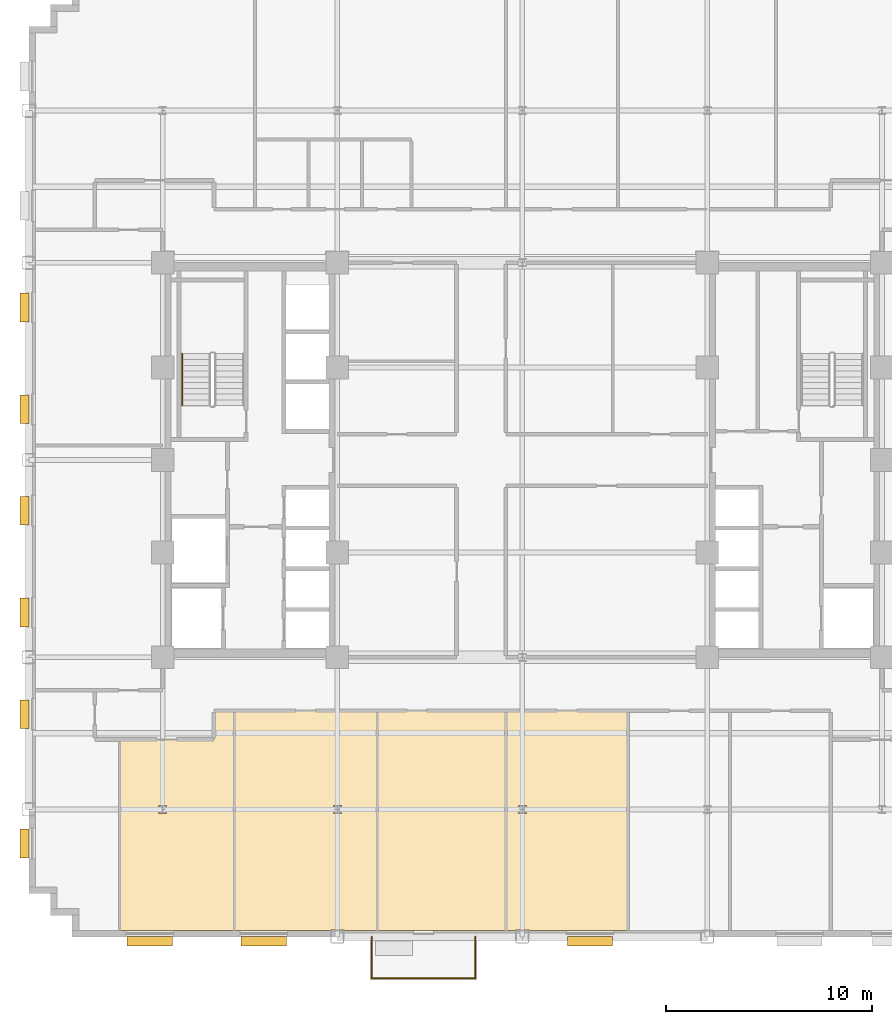
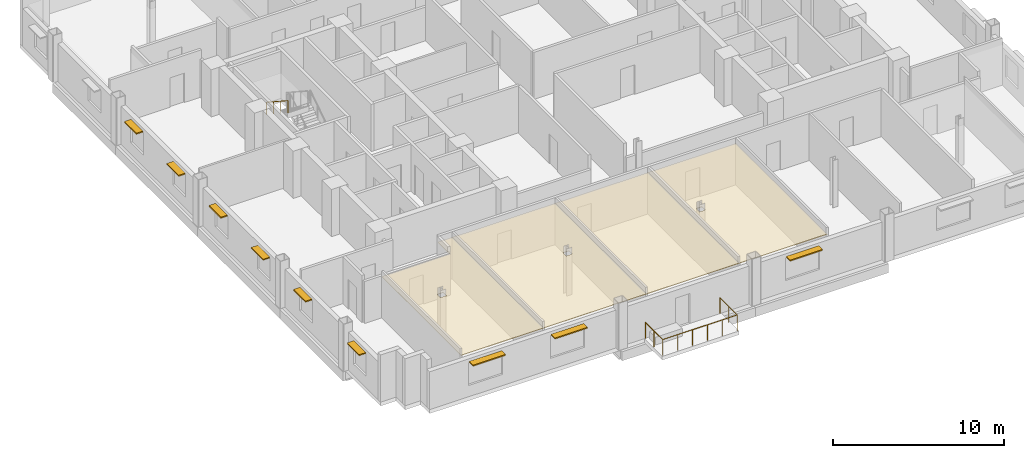
# One storey, part 11 of 14: 9 shading devices, 4 coverings, 2 railings.
"""IFC4 building model written with IfcOpenShell, lengths in metres."""

from ifc_helpers import new_model, si_unit, direction, frame, origin, origin_2d, place, context, subcontext, project, spatial, polyline, rectangle, circle, outline, extrude, source, transform, mapped, material, layer, layer_set, type_object, type_shapes, element, save


model = new_model("IFC4")

# Units and contexts
model_context = context("Model", 3, precision=1e-05, world=origin(), true_north=direction((0.0, 1.0)))
body_context = subcontext(model_context, "Body", "Model", "MODEL_VIEW")
ifc_project = project(units=[si_unit("LENGTHUNIT", "METRE"), si_unit("AREAUNIT", "SQUARE_METRE"), si_unit("VOLUMEUNIT", "CUBIC_METRE"), si_unit("PLANEANGLEUNIT", "RADIAN"), si_unit("MASSUNIT", "GRAM", prefix="KILO")], contexts=[model_context])

# Site, building, storey
site_placement = place(None, origin())
site = spatial("IfcSite", under=ifc_project, at=site_placement, CompositionType="ELEMENT")
building_placement = place(site_placement, origin())
building = spatial("IfcBuilding", under=site, at=building_placement, Name="Nuvemarco Arch Tower", CompositionType="ELEMENT")
storey_placement = place(building_placement, frame((0.0, 0.0, 98.300048828125)))
storey = spatial("IfcBuildingStorey", under=building, at=storey_placement, Name="L25", CompositionType="ELEMENT", Elevation=98.300048828125)

# Coverings
ifc_material_1 = material(Name="Mineral acoustic ceiling tile")
ifc_layer = layer(ifc_material_1, 0.0400390625, Name="COV-ACOUSTIC-CLG")
ifc_layer_set = layer_set([ifc_layer], Name="Mineral acoustic ceiling tile")
covering_type = type_object("IfcCoveringType", Name="COV-ACOUSTIC-CLG", PredefinedType="CEILING", material=ifc_layer_set)
covering_1_placement = place(storey_placement, frame((0.0, 0.0, 2.849853515625)))
element("IfcCovering", 1, at=covering_1_placement, inside=storey, type_object=covering_type, Name="L25 suspended acoustic ceiling 4", PredefinedType="CEILING", context=body_context, shape_type="SweptSolid", body=[
    extrude(outline(polyline([(-8.659912109375, -22.8798828125), (-8.659912109375, -22.860107421875), (-9.340087890625, -22.860107421875), (-9.340087890625, -22.8798828125), (-14.02001953125, -22.8798828125), (-14.02001953125, -12.199951171875), (-7.06005859375, -12.199951171875), (-7.06005859375, -22.8798828125), (-8.659912109375, -22.8798828125)]), holes=[polyline([(-8.804931640625, -17.195068359375), (-8.804931640625, -16.804931640625), (-9.195068359375, -16.804931640625), (-9.195068359375, -17.195068359375), (-8.804931640625, -17.195068359375)])]), origin(), (0.0, 0.0, 1.0), 0.0400390625),
])
covering_2_placement = place(storey_placement, frame((0.0, 0.0, 2.849853515625)))
element("IfcCovering", 2, at=covering_2_placement, inside=storey, type_object=covering_type, Name="L25 suspended acoustic ceiling 5", PredefinedType="CEILING", context=body_context, shape_type="SweptSolid", body=[
    extrude(outline(polyline([(-0.800048828125, -22.8798828125), (-7.06005859375, -22.8798828125), (-7.06005859375, -12.199951171875), (-3.199951171875, -12.199951171875), (-0.800048828125, -12.199951171875), (-0.800048828125, -22.8798828125)])), origin(), (0.0, 0.0, 1.0), 0.0400390625),
])
covering_3_placement = place(storey_placement, frame((0.0, 0.0, 2.849853515625)))
element("IfcCovering", 3, at=covering_3_placement, inside=storey, type_object=covering_type, Name="L25 suspended acoustic ceiling 6", PredefinedType="CEILING", context=body_context, shape_type="SweptSolid", body=[
    extrude(outline(polyline([(0.340087890625, -22.8798828125), (0.340087890625, -22.860107421875), (-0.340087890625, -22.860107421875), (-0.340087890625, -22.8798828125), (-0.800048828125, -22.8798828125), (-0.800048828125, -12.199951171875), (5.14990234375, -12.199951171875), (5.14990234375, -22.8798828125), (0.340087890625, -22.8798828125)]), holes=[polyline([(0.195068359375, -17.195068359375), (0.195068359375, -16.804931640625), (-0.195068359375, -16.804931640625), (-0.195068359375, -17.195068359375), (0.195068359375, -17.195068359375)])]), origin(), (0.0, 0.0, 1.0), 0.0400390625),
])
covering_4_placement = place(storey_placement, frame((0.0, 0.0, 2.849853515625)))
element("IfcCovering", 4, at=covering_4_placement, inside=storey, type_object=covering_type, Name="L25 suspended acoustic ceiling 7", PredefinedType="CEILING", context=body_context, shape_type="SweptSolid", body=[
    extrude(outline(polyline([(-14.02001953125, -12.199951171875), (-14.02001953125, -22.8798828125), (-19.590087890625, -22.8798828125), (-19.590087890625, -13.60009765625), (-15.0, -13.60009765625), (-15.0, -12.199951171875), (-14.02001953125, -12.199951171875)]), holes=[polyline([(-17.304931640625, -16.804931640625), (-17.695068359375, -16.804931640625), (-17.695068359375, -17.195068359375), (-17.304931640625, -17.195068359375), (-17.304931640625, -16.804931640625)])]), origin(), (0.0, 0.0, 1.0), 0.0400390625),
])

# Railings
ifc_material_2 = material(Name="Brushed stainless steel handrail", Category="steel")
railing_type_1 = type_object("IfcRailingType", Name="RL-HANDRAIL-900", PredefinedType="HANDRAIL", material=ifc_material_2)
railing_1_placement = place(storey_placement, frame((-16.550048828125, 5.169921875, 2.007568359375)))
element("IfcRailing", 5, at=railing_1_placement, inside=storey, type_object=railing_type_1, Name="L25 ST-1 stair handrail 2", PredefinedType="HANDRAIL", context=body_context, shape_type="SweptSolid", body=[
    extrude(circle(Radius=0.02392578125, at=origin_2d()), frame((0.0, 0.0, 0.8759765625), z_axis=(0.0, -0.837786554691, 0.545997883492), x_axis=(1.0, 0.0, 0.0)), (0.0, 0.0, 1.0), 3.008056640625),
    extrude(circle(Radius=0.02099609375, at=origin_2d()), origin(), (0.0, 0.0, 1.0), 0.851806640625),
    extrude(circle(Radius=0.02099609375, at=origin_2d()), frame((0.0, -0.840087890625, 0.54736328125)), (0.0, 0.0, 1.0), 0.851806640625),
    extrude(circle(Radius=0.02099609375, at=origin_2d()), frame((0.0, -1.679931640625, 1.094970703125)), (0.0, 0.0, 1.0), 0.851806640625),
    extrude(circle(Radius=0.02099609375, at=origin_2d()), frame((0.0, -2.52001953125, 1.642333984375)), (0.0, 0.0, 1.0), 0.851806640625),
])
ifc_material_3 = material(Name="Dark anodised balustrade steel S355", Category="steel")
railing_type_2 = type_object("IfcRailingType", Name="RL-TERR-GUARD", PredefinedType="BALUSTRADE", material=ifc_material_3)
railing_2_placement = place(storey_placement, frame((-7.320068359375, -23.199951171875, 0.0)))
element("IfcRailing", 6, at=railing_2_placement, inside=storey, type_object=railing_type_2, Name="L25 tree balcony perimeter balustrade guard", PredefinedType="BALUSTRADE", context=body_context, shape_type="SweptSolid", body=[
    extrude(circle(Radius=0.02392578125, at=origin_2d()), frame((0.0, 0.0, 1.1259765625), z_axis=(0.0, -1.0, 0.0), x_axis=(1.0, 0.0, 0.0)), (0.0, 0.0, 1.0), 2.02001953125),
    extrude(circle(Radius=0.02392578125, at=origin_2d()), frame((0.0, -2.02001953125, 1.1259765625), z_axis=(1.0, 0.0, 0.0), x_axis=(0.0, 1.0, 0.0)), (0.0, 0.0, 1.0), 5.0400390625),
    extrude(circle(Radius=0.02392578125, at=origin_2d()), frame((5.0400390625, -2.02001953125, 1.1259765625), z_axis=(0.0, 1.0, 0.0), x_axis=(-1.0, 0.0, 0.0)), (0.0, 0.0, 1.0), 2.02001953125),
    extrude(circle(Radius=0.02099609375, at=origin_2d()), origin(), (0.0, 0.0, 1.0), 1.101806640625),
    extrude(circle(Radius=0.02099609375, at=origin_2d()), frame((0.0, -1.010009765625, 0.0)), (0.0, 0.0, 1.0), 1.101806640625),
    extrude(circle(Radius=0.02099609375, at=origin_2d()), frame((0.0, -2.02001953125, 0.0)), (0.0, 0.0, 1.0), 1.101806640625),
    extrude(circle(Radius=0.02099609375, at=origin_2d()), frame((1.008056640625, -2.02001953125, 0.0)), (0.0, 0.0, 1.0), 1.101806640625),
    extrude(circle(Radius=0.02099609375, at=origin_2d()), frame((2.01611328125, -2.02001953125, 0.0)), (0.0, 0.0, 1.0), 1.101806640625),
    extrude(circle(Radius=0.02099609375, at=origin_2d()), frame((3.02392578125, -2.02001953125, 0.0)), (0.0, 0.0, 1.0), 1.101806640625),
    extrude(circle(Radius=0.02099609375, at=origin_2d()), frame((4.031982421875, -2.02001953125, 0.0)), (0.0, 0.0, 1.0), 1.101806640625),
    extrude(circle(Radius=0.02099609375, at=origin_2d()), frame((5.0400390625, -2.02001953125, 0.0)), (0.0, 0.0, 1.0), 1.101806640625),
    extrude(circle(Radius=0.02099609375, at=origin_2d()), frame((5.0400390625, -1.010009765625, 0.0)), (0.0, 0.0, 1.0), 1.101806640625),
    extrude(circle(Radius=0.02099609375, at=origin_2d()), frame((5.0400390625, 0.0, 0.0)), (0.0, 0.0, 1.0), 1.101806640625),
])

# Shading devices
ifc_material_4 = material(Name="Anodised aluminium 6063-T6", Category="aluminium")
shading_device_type_1 = type_object("IfcShadingDeviceType", Name="SHD-BRISE-SOLEIL", PredefinedType="USERDEFINED", material=ifc_material_4)
shared_shape_1 = source(origin(), body_context, "Body", "SweptSolid", [
    extrude(rectangle(XDim=2.199951171875, YDim=0.449951171875, at=origin_2d()), origin(), (0.0, 0.0, 1.0), 0.080078125),
])
type_shapes(shading_device_type_1, [shared_shape_1])
for number, where, z_axis, x_axis, name in (
    (7, (-18.127685546875, -23.4150390625, 2.4248046875), (0.0, 0.0, 1.0), (1.0, 0.0, 0.0), "L25 horizontal brise-soleil sunshade"),
    (8, (-12.583251953125, -23.4150390625, 2.4248046875), (0.0, 0.0, 1.0), (1.0, 0.0, 0.0), "L25 horizontal brise-soleil sunshade"),
    (9, (3.29443359375, -23.4150390625, 2.4248046875), (0.0, 0.0, 1.0), (1.0, 0.0, 0.0), "L25 horizontal brise-soleil sunshade"),
):
    element("IfcShadingDevice", number, at=place(storey_placement, frame(where, z_axis=z_axis, x_axis=x_axis)), inside=storey, type_object=shading_device_type_1, Name=name, ObjectType="SUNSHADE", PredefinedType="USERDEFINED", context=body_context, shape_type="MappedRepresentation", body=[
        mapped(shared_shape_1, transform((0.0, 0.0, 0.0), scale=1.0)),
    ])
shading_device_type_2 = type_object("IfcShadingDeviceType", Name="SHD-BRISE-NARROW", PredefinedType="USERDEFINED", material=ifc_material_4)
shared_shape_2 = source(origin(), body_context, "Body", "SweptSolid", [
    extrude(rectangle(XDim=1.39990234375, YDim=0.449951171875, at=origin_2d()), origin(), (0.0, 0.0, 1.0), 0.080078125),
])
type_shapes(shading_device_type_2, [shared_shape_2])
for number, where, z_axis, x_axis, name in (
    (10, (-24.215087890625, -18.660888671875, 2.405029296875), (0.0, 0.0, 1.0), (0.0, 1.0, 0.0), "L25 horizontal brise-soleil sunshade"),
    (11, (-24.215087890625, -12.364990234375, 2.405029296875), (0.0, 0.0, 1.0), (0.0, 1.0, 0.0), "L25 horizontal brise-soleil sunshade"),
    (12, (-24.215087890625, -7.4189453125, 2.405029296875), (0.0, 0.0, 1.0), (0.0, 1.0, 0.0), "L25 horizontal brise-soleil sunshade"),
    (13, (-24.215087890625, -2.472900390625, 2.405029296875), (0.0, 0.0, 1.0), (0.0, 1.0, 0.0), "L25 horizontal brise-soleil sunshade"),
    (14, (-24.215087890625, 2.472900390625, 2.405029296875), (0.0, 0.0, 1.0), (0.0, 1.0, 0.0), "L25 horizontal brise-soleil sunshade"),
    (15, (-24.215087890625, 7.4189453125, 2.405029296875), (0.0, 0.0, 1.0), (0.0, 1.0, 0.0), "L25 horizontal brise-soleil sunshade"),
):
    element("IfcShadingDevice", number, at=place(storey_placement, frame(where, z_axis=z_axis, x_axis=x_axis)), inside=storey, type_object=shading_device_type_2, Name=name, ObjectType="SUNSHADE", PredefinedType="USERDEFINED", context=body_context, shape_type="MappedRepresentation", body=[
        mapped(shared_shape_2, transform((0.0, 0.0, 0.0), scale=1.0)),
    ])

save(model, "model.ifc")
